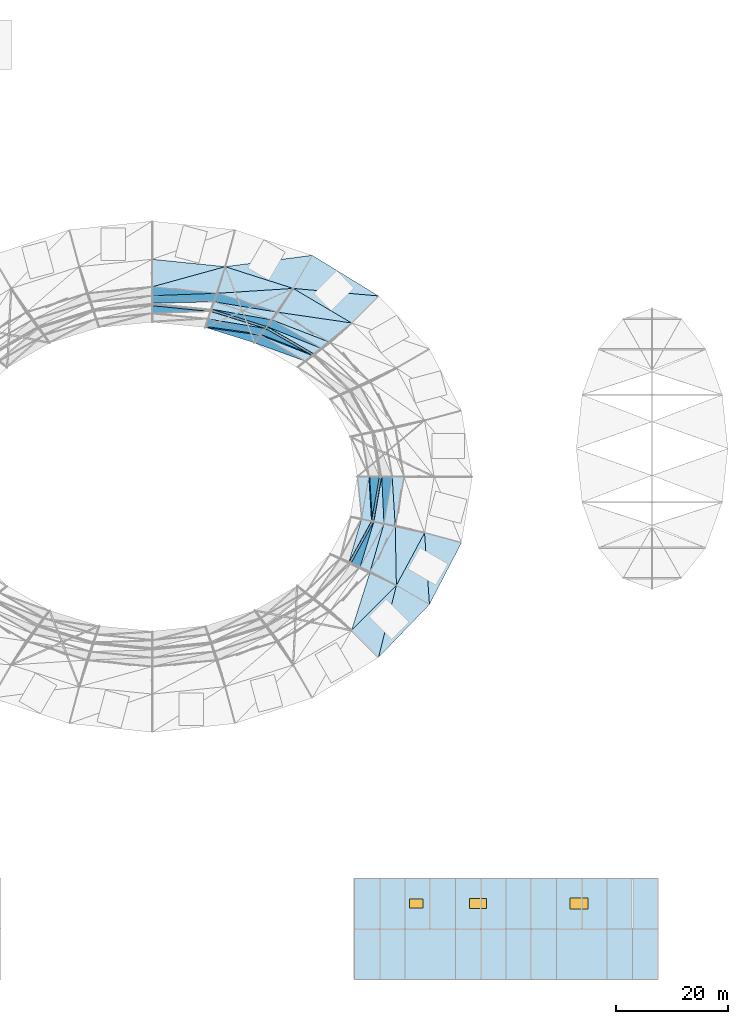
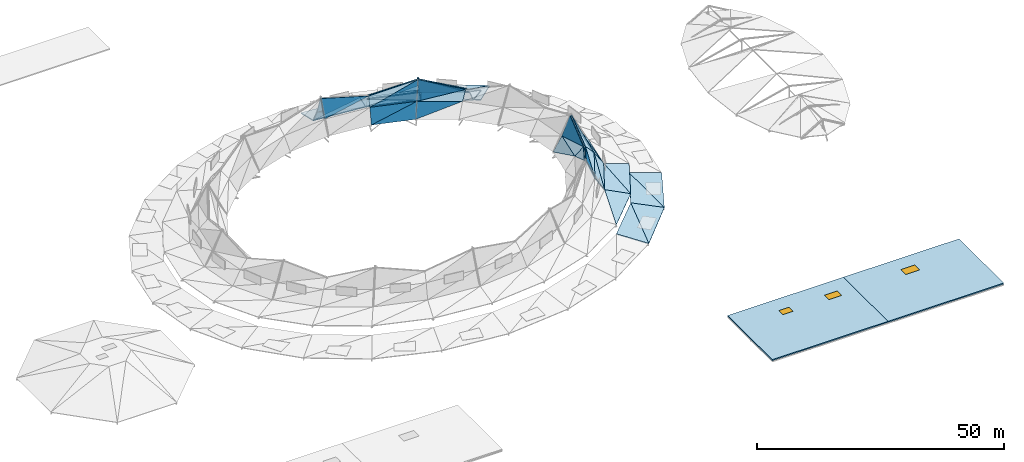
# One storey, part 30 of 36: 49 slabs, 3 windows, 1 plate, 3 openings.
"""IFC4 building model written with IfcOpenShell, lengths in metres."""

from ifc_helpers import new_model, si_unit, direction, frame, origin, origin_2d, place, context, subcontext, project, spatial, polyline, rectangle, outline, extrude, material, layer, layer_set, type_object, element, fill, save


model = new_model("IFC4")

# Units and contexts
model_context = context("Model", 3, precision=1e-05, world=origin(), true_north=direction((0.0, 1.0)))
body_context = subcontext(model_context, "Body", "Model", "MODEL_VIEW")
ifc_project = project(units=[si_unit("LENGTHUNIT", "METRE"), si_unit("AREAUNIT", "SQUARE_METRE"), si_unit("VOLUMEUNIT", "CUBIC_METRE"), si_unit("PLANEANGLEUNIT", "RADIAN"), si_unit("MASSUNIT", "GRAM", prefix="KILO")], contexts=[model_context])

# Site, building, storey
site_placement = place(None, origin())
site = spatial("IfcSite", under=ifc_project, at=site_placement, CompositionType="ELEMENT")
building_placement = place(site_placement, origin())
building = spatial("IfcBuilding", under=site, at=building_placement, Name="Kildeholm Park Wholesale Market", CompositionType="ELEMENT")
storey_placement = place(building_placement, frame((0.0, 0.0, 17.39990234375)))
storey = spatial("IfcBuildingStorey", under=building, at=storey_placement, Name="Roof", CompositionType="ELEMENT", Elevation=17.39990234375)

# Slab, openings, windows
ifc_material_1 = material(Name="Concrete C35/45", Category="concrete")
ifc_layer_1 = layer(ifc_material_1, 0.280029296875)
ifc_layer_set_1 = layer_set([ifc_layer_1], Name="Concrete C35/45")
slab_type_1 = type_object("IfcSlabType", Name="Slab S-RF1 280 mm", PredefinedType="ROOF", material=ifc_layer_set_1)
slab_1_placement = place(storey_placement, frame((0.0, 0.0, -0.27978515625)))
slab_1 = element("IfcSlab", 1, at=slab_1_placement, inside=storey, type_object=slab_type_1, Name="V5E Roof slab RF part 1 SLB-0392", PredefinedType="ROOF", context=body_context, shape_type="SweptSolid", body=[
    extrude(outline(polyline([(135.0, 0.0), (162.0, 0.0), (162.0, 18.0), (135.0, 18.0), (135.0, 0.0)])), origin(), (0.0, 0.0, 1.0), 0.27978515625),
])
opening_1_placement = place(slab_1_placement, frame((146.0, 13.5, 0.0)))
opening_1 = element("IfcOpeningElement", 2, at=opening_1_placement, cuts=slab_1, Name="Opening SK-01", PredefinedType="OPENING", context=body_context, shape_type="SweptSolid", body=[
    extrude(rectangle(XDim=2.39990234375, YDim=1.60009765625, at=origin_2d()), frame((0.0, 0.0, -0.010009765625)), (0.0, 0.0, 1.0), 0.2998046875),
])
opening_2_placement = place(slab_1_placement, frame((157.0, 13.5, 0.0)))
opening_2 = element("IfcOpeningElement", 3, at=opening_2_placement, cuts=slab_1, Name="Opening SK-02", PredefinedType="OPENING", context=body_context, shape_type="SweptSolid", body=[
    extrude(rectangle(XDim=3.0, YDim=1.800048828125, at=origin_2d()), frame((0.0, 0.0, -0.010009765625)), (0.0, 0.0, 1.0), 0.2998046875),
])
ifc_material_2 = material(Name="Thermally broken aluminium and triple-glazed low-E glass", Category="aluminium")
window_type_1 = type_object("IfcWindowType", Name="Roof skylight SK-01 2400x1600", PartitioningType="SINGLE_PANEL", PredefinedType="SKYLIGHT", material=ifc_material_2)
window_1_placement = place(opening_1_placement, frame((0.0, 0.0, 0.2197265625)))
window_1 = element("IfcWindow", 4, at=window_1_placement, inside=storey, type_object=window_type_1, Name="V5E roof skylight 1.11 WIN-0466", OverallHeight=1.60009765625, OverallWidth=2.39990234375, PartitioningType="SINGLE_PANEL", PredefinedType="SKYLIGHT", context=body_context, shape_type="SweptSolid", body=[
    extrude(rectangle(XDim=2.39990234375, YDim=1.60009765625, at=origin_2d()), origin(), (0.0, 0.0, 1.0), 0.06005859375),
])
fill(opening_1, window_1)
window_type_2 = type_object("IfcWindowType", Name="Roof skylight SK-02 3000x1800", PartitioningType="DOUBLE_PANEL_VERTICAL", PredefinedType="SKYLIGHT", material=ifc_material_2)
window_2_placement = place(opening_2_placement, frame((0.0, 0.0, 0.2197265625)))
window_2 = element("IfcWindow", 5, at=window_2_placement, inside=storey, type_object=window_type_2, Name="V5E roof skylight 1.22 WIN-0467", OverallHeight=1.800048828125, OverallWidth=3.0, PartitioningType="SINGLE_PANEL", PredefinedType="SKYLIGHT", context=body_context, shape_type="SweptSolid", body=[
    extrude(rectangle(XDim=3.0, YDim=1.800048828125, at=origin_2d()), origin(), (0.0, 0.0, 1.0), 0.06005859375),
])
fill(opening_2, window_2)

# Slab, opening, window
slab_2_placement = place(storey_placement, frame((0.0, 0.0, -0.27978515625)))
slab_2 = element("IfcSlab", 6, at=slab_2_placement, inside=storey, type_object=slab_type_1, Name="V5E Roof slab RF part 2 SLB-0393", PredefinedType="ROOF", context=body_context, shape_type="SweptSolid", body=[
    extrude(outline(polyline([(162.0, 0.0), (189.0, 0.0), (189.0, 18.0), (162.0, 18.0), (162.0, 0.0)])), origin(), (0.0, 0.0, 1.0), 0.27978515625),
])
opening_3_placement = place(slab_2_placement, frame((175.0, 13.5, 0.0)))
opening_3 = element("IfcOpeningElement", 7, at=opening_3_placement, cuts=slab_2, Name="Opening SK-06", PredefinedType="OPENING", context=body_context, shape_type="SweptSolid", body=[
    extrude(rectangle(XDim=3.199951171875, YDim=2.0, at=origin_2d()), frame((0.0, 0.0, -0.010009765625)), (0.0, 0.0, 1.0), 0.2998046875),
])
window_type_3 = type_object("IfcWindowType", Name="Roof skylight SK-06 3200x2000", PartitioningType="DOUBLE_PANEL_VERTICAL", PredefinedType="SKYLIGHT", material=ifc_material_2)
window_3_placement = place(opening_3_placement, frame((0.0, 0.0, 0.2197265625)))
window_3 = element("IfcWindow", 8, at=window_3_placement, inside=storey, type_object=window_type_3, Name="V5E roof skylight 2.40 WIN-0468", OverallHeight=2.0, OverallWidth=3.199951171875, PartitioningType="SINGLE_PANEL", PredefinedType="SKYLIGHT", context=body_context, shape_type="SweptSolid", body=[
    extrude(rectangle(XDim=3.199951171875, YDim=2.0, at=origin_2d()), origin(), (0.0, 0.0, 1.0), 0.06005859375),
])
fill(opening_3, window_3)

# Slabs
ifc_layer_2 = layer(ifc_material_1, 0.219970703125)
ifc_layer_set_2 = layer_set([ifc_layer_2], Name="Concrete C35/45")
slab_type_2 = type_object("IfcSlabType", Name="Slab S-RF2 220 mm", PredefinedType="ROOF", material=ifc_layer_set_2)
slab_3_placement = place(storey_placement, frame((139.304931640625, 121.673095703125, -7.599853515625), z_axis=(0.087119347575, 0.142227085329, 0.985992736016), x_axis=(-0.852740373682, 0.522335002745, 0.0)))
element("IfcSlab", 9, at=slab_3_placement, inside=storey, type_object=slab_type_2, Name="Outer white ceramic rim band 1 sector 4A SLB-0049", PredefinedType="ROOF", context=body_context, shape_type="SweptSolid", body=[
    extrude(outline(polyline([(0.0, 0.0), (13.843523779284418, 0.0), (13.666643287997365, 6.894384090327653), (0.0, 0.0)])), origin(), (0.0, 0.0, -1.0), 0.219970703125),
])
slab_4_placement = place(storey_placement, frame((139.304931640625, 121.673095703125, -7.599853515625), z_axis=(0.087564249827, 0.148035376862, 0.985097979568), x_axis=(-0.993314043853, 0.087658022528, 0.075121776948)))
element("IfcSlab", 10, at=slab_4_placement, inside=storey, type_object=slab_type_2, Name="Outer white ceramic rim band 1 sector 4B SLB-0050", PredefinedType="ROOF", context=body_context, shape_type="SweptSolid", body=[
    extrude(outline(polyline([(0.0, 0.0), (15.307177099201748, 2.498001805406602e-16), (4.440629868005163, 5.276029807027794), (0.0, 0.0)])), origin(), (0.0, 0.0, -1.0), 0.219970703125),
])
slab_5_placement = place(storey_placement, frame((134.4970703125, 116.864990234375, -4.199951171875), z_axis=(0.113556575253, 0.191977781411, 0.974807383877), x_axis=(-0.860700316594, 0.509111937609, 0.0)))
element("IfcSlab", 11, at=slab_5_placement, inside=storey, type_object=slab_type_2, Name="Upper white ceramic rim band 2 sector 4A SLB-0051", PredefinedType="ROOF", context=body_context, shape_type="SweptSolid", body=[
    extrude(outline(polyline([(0.0, 0.0), (12.079666355180176, 0.0), (12.243604132970296, 5.156489651848838), (0.0, 0.0)])), origin(), (0.0, 0.0, -1.0), 0.219970703125),
])
slab_6_placement = place(storey_placement, frame((134.4970703125, 116.864990234375, -4.199951171875), z_axis=(0.114229284268, 0.197284834122, 0.973668508704), x_axis=(-0.985850165908, 0.143542401035, 0.08657383834)))
element("IfcSlab", 12, at=slab_6_placement, inside=storey, type_object=slab_type_2, Name="Upper white ceramic rim band 2 sector 4B SLB-0052", PredefinedType="ROOF", context=body_context, shape_type="SweptSolid", body=[
    extrude(outline(polyline([(0.0, 0.0), (13.28515064628593, 3.608224830031759e-16), (3.3672378417552733, 4.07146687267444), (0.0, 0.0)])), origin(), (0.0, 0.0, -1.0), 0.219970703125),
])
slab_7_placement = place(storey_placement, frame((130.677978515625, 113.39990234375, -3.0498046875), z_axis=(0.439345660507, 0.75879172588, 0.480843537266), x_axis=(-0.865403937833, 0.501074869039, 0.0)))
element("IfcSlab", 13, at=slab_7_placement, inside=storey, type_object=slab_type_2, Name="Arched gable roof facet 4-LOA SLB-0053", PredefinedType="ROOF", context=body_context, shape_type="SweptSolid", body=[
    extrude(outline(polyline([(0.0, 0.0), (10.721093082963066, 8.881784197001252e-16), (10.934927367791687, 3.535391000763841), (0.0, 0.0)])), origin(), (0.0, 0.0, -1.0), 0.219970703125),
])
slab_8_placement = place(storey_placement, frame((130.677978515625, 113.39990234375, -3.0498046875), z_axis=(0.439342448941, 0.758839481518, 0.480771103383), x_axis=(-0.897556926744, 0.348761942399, 0.269734444943)))
element("IfcSlab", 14, at=slab_8_placement, inside=storey, type_object=slab_type_2, Name="Arched gable roof facet 4-LOB SLB-0054", PredefinedType="ROOF", context=body_context, shape_type="SweptSolid", body=[
    extrude(outline(polyline([(0.0, 0.0), (11.492241994805086, 4.440892098500626e-16), (1.7652410412086452, 3.1446967986713283), (0.0, 0.0)])), origin(), (0.0, 0.0, -1.0), 0.219970703125),
])
slab_9_placement = place(storey_placement, frame((129.2099609375, 112.285888671875, 0.050048828125), z_axis=(0.473863365197, 0.818464574102, 0.324914222624), x_axis=(-0.865419200012, 0.501048508879, 0.0)))
element("IfcSlab", 15, at=slab_9_placement, inside=storey, type_object=slab_type_2, Name="Arched gable roof facet 4-UOA SLB-0055", PredefinedType="ROOF", context=body_context, shape_type="SweptSolid", body=[
    extrude(outline(polyline([(0.0, 0.0), (10.22270343435824, 0.0), (10.410204102376682, 4.56248597441558), (0.0, 0.0)])), origin(), (0.0, 0.0, -1.0), 0.219970703125),
])
slab_10_placement = place(storey_placement, frame((129.2099609375, 112.285888671875, 0.050048828125), z_axis=(0.513616744053, 0.566736834599, 0.644210525013), x_axis=(-0.857984540344, 0.34603772644, 0.379631953886)))
element("IfcSlab", 16, at=slab_10_placement, inside=storey, type_object=slab_type_2, Name="Arched gable roof facet 4-UOB SLB-0056", PredefinedType="ROOF", context=body_context, shape_type="SweptSolid", body=[
    extrude(outline(polyline([(0.0, 0.0), (11.366117530620523, 0.0), (1.4877296809312432, 2.0004702758772397), (0.0, 0.0)])), origin(), (0.0, 0.0, -1.0), 0.219970703125),
])
slab_11_placement = place(storey_placement, frame((127.568115234375, 111.0390625, 1.943115234375), z_axis=(-0.401877400592, -0.857730803522, 0.320612575521), x_axis=(-0.840341411198, 0.484551404522, 0.24297376196)))
element("IfcSlab", 17, at=slab_11_placement, inside=storey, type_object=slab_type_2, Name="Arched gable roof facet 4-UIA SLB-0057", PredefinedType="ROOF", context=body_context, shape_type="SweptSolid", body=[
    extrude(outline(polyline([(0.0, 0.0), (9.967640046656408, 0.0), (9.103436350610954, 4.4837645890206925), (0.0, 0.0)])), origin(), (0.0, 0.0, -1.0), 0.219970703125),
])
slab_12_placement = place(storey_placement, frame((127.568115234375, 111.0390625, 1.943115234375), z_axis=(-0.392877419143, -0.679083773133, 0.620074642761), x_axis=(-0.914588140031, 0.358786082659, -0.186550478437)))
element("IfcSlab", 18, at=slab_12_placement, inside=storey, type_object=slab_type_2, Name="Arched gable roof facet 4-UIB SLB-0058", PredefinedType="ROOF", context=body_context, shape_type="SweptSolid", body=[
    extrude(outline(polyline([(0.0, 0.0), (10.14774350677927, -4.440892098500626e-16), (1.183062733120926, 2.194587526816265), (0.0, 0.0)])), origin(), (0.0, 0.0, -1.0), 0.219970703125),
])
slab_13_placement = place(storey_placement, frame((126.27587890625, 110.05810546875, 0.050048828125), z_axis=(-0.443732587432, -0.76698630426, 0.463501240483), x_axis=(-0.865578978323, 0.500772435628, 0.0)))
element("IfcSlab", 19, at=slab_13_placement, inside=storey, type_object=slab_type_2, Name="Arched gable roof facet 4-LIA SLB-0059", PredefinedType="ROOF", context=body_context, shape_type="SweptSolid", body=[
    extrude(outline(polyline([(0.0, 0.0), (9.229394118058728, 4.440892098500626e-16), (9.444033742585155, 3.6677730279227982), (0.0, 0.0)])), origin(), (0.0, 0.0, -1.0), 0.219970703125),
])
slab_14_placement = place(storey_placement, frame((127.5, 128.904052734375, -7.599853515625), z_axis=(0.051875197447, 0.162449034896, 0.985352360809), x_axis=(-0.988928239616, -0.129008917195, 0.073332367848)))
element("IfcSlab", 20, at=slab_14_placement, inside=storey, type_object=slab_type_2, Name="Outer white ceramic rim band 1 sector 5B SLB-0062", PredefinedType="ROOF", context=body_context, shape_type="SweptSolid", body=[
    extrude(outline(polyline([(0.0, 0.0), (15.680692953156894, 0.0), (4.206338676276323, 5.4653941883109365), (0.0, 0.0)])), origin(), (0.0, 0.0, -1.0), 0.219970703125),
])
slab_15_placement = place(storey_placement, frame((124.10009765625, 123.014892578125, -4.199951171875), z_axis=(0.069057833117, 0.216257072626, 0.973891110045), x_axis=(-0.952608649326, 0.304198555599, 0.0)))
element("IfcSlab", 21, at=slab_15_placement, inside=storey, type_object=slab_type_2, Name="Upper white ceramic rim band 2 sector 5A SLB-0063", PredefinedType="ROOF", context=body_context, shape_type="SweptSolid", body=[
    extrude(outline(polyline([(0.0, 0.0), (12.709498011526277, 4.440892098500626e-16), (12.601377828087868, 5.0663752898579695), (0.0, 0.0)])), origin(), (0.0, 0.0, -1.0), 0.219970703125),
])
slab_16_placement = place(storey_placement, frame((124.10009765625, 123.014892578125, -4.199951171875), z_axis=(0.068746010816, 0.220024023769, 0.973069069985), x_axis=(-0.994361215476, -0.063831673376, 0.084683473184)))
element("IfcSlab", 22, at=slab_16_placement, inside=storey, type_object=slab_type_2, Name="Upper white ceramic rim band 2 sector 5B SLB-0064", PredefinedType="ROOF", context=body_context, shape_type="SweptSolid", body=[
    extrude(outline(polyline([(0.0, 0.0), (13.58171129658954, -5.551115123125783e-17), (3.0532005705428262, 4.158632876396745), (0.0, 0.0)])), origin(), (0.0, 0.0, -1.0), 0.219970703125),
])
slab_17_placement = place(storey_placement, frame((121.39990234375, 118.77197265625, -3.0498046875), z_axis=(0.264595419981, 0.846846941142, 0.461345339202), x_axis=(-0.95449417592, 0.298229556107, 0.0)))
element("IfcSlab", 23, at=slab_17_placement, inside=storey, type_object=slab_type_2, Name="Arched gable roof facet 5-LOA SLB-0065", PredefinedType="ROOF", context=body_context, shape_type="SweptSolid", body=[
    extrude(outline(polyline([(0.0, 0.0), (11.320060313846767, 2.220446049250313e-16), (11.378889063432258, 3.4938924416241215), (0.0, 0.0)])), origin(), (0.0, 0.0, -1.0), 0.219970703125),
])
slab_18_placement = place(storey_placement, frame((121.39990234375, 118.77197265625, -3.0498046875), z_axis=(0.264565280013, 0.846950011686, 0.461173384225), x_axis=(-0.95283517462, 0.15583867868, 0.260421650856)))
element("IfcSlab", 24, at=slab_18_placement, inside=storey, type_object=slab_type_2, Name="Arched gable roof facet 5-LOB SLB-0066", PredefinedType="ROOF", context=body_context, shape_type="SweptSolid", body=[
    extrude(outline(polyline([(0.0, 0.0), (11.903209681070749, 4.440892098500626e-16), (1.5826645482760626, 3.168578160197448), (0.0, 0.0)])), origin(), (0.0, 0.0, -1.0), 0.219970703125),
])
slab_19_placement = place(storey_placement, frame((120.363037109375, 117.407958984375, 0.050048828125), z_axis=(0.238539840632, 0.763635049924, 0.599966878219), x_axis=(-0.954514174424, 0.298165542651, 0.0)))
element("IfcSlab", 25, at=slab_19_placement, inside=storey, type_object=slab_type_2, Name="Arched gable roof facet 5-UOA SLB-0067", PredefinedType="ROOF", context=body_context, shape_type="SweptSolid", body=[
    extrude(outline(polyline([(0.0, 0.0), (10.795996452173016, 0.0), (10.847218252717235, 2.3210949214220458), (0.0, 0.0)])), origin(), (0.0, 0.0, -1.0), 0.219970703125),
])
slab_20_placement = place(storey_placement, frame((120.363037109375, 117.407958984375, 0.050048828125), z_axis=(0.216232316131, 0.928703280996, 0.301253715874), x_axis=(-0.970816081445, 0.171736066278, 0.167400297335)))
element("IfcSlab", 26, at=slab_20_placement, inside=storey, type_object=slab_type_2, Name="Arched gable roof facet 5-UOB SLB-0068", PredefinedType="ROOF", context=body_context, shape_type="SweptSolid", body=[
    extrude(outline(polyline([(0.0, 0.0), (11.092773569145509, 0.0), (1.3967513247679428, 4.347472887092597), (0.0, 0.0)])), origin(), (0.0, 0.0, -1.0), 0.219970703125),
])
slab_21_placement = place(storey_placement, frame((119.19189453125, 115.868896484375, 4.364990234375), z_axis=(-0.371683839712, -0.711294986002, 0.596582405193), x_axis=(-0.928342183924, 0.288683692333, -0.234184788849)))
element("IfcSlab", 27, at=slab_21_placement, inside=storey, type_object=slab_type_2, Name="Arched gable roof facet 5-UIA SLB-0069", PredefinedType="ROOF", context=body_context, shape_type="SweptSolid", body=[
    extrude(outline(polyline([(0.0, 0.0), (10.496018228092371, -2.220446049250313e-16), (10.982135813229496, 2.2707624912752147), (0.0, 0.0)])), origin(), (0.0, 0.0, -1.0), 0.219970703125),
])
slab_22_placement = place(storey_placement, frame((119.19189453125, 115.868896484375, 4.364990234375), z_axis=(-0.283342259925, -0.907695683624, 0.309524974229), x_axis=(-0.910255671952, 0.152935666686, -0.3847665442)))
element("IfcSlab", 28, at=slab_22_placement, inside=storey, type_object=slab_type_2, Name="Arched gable roof facet 5-UIB SLB-0070", PredefinedType="ROOF", context=body_context, shape_type="SweptSolid", body=[
    extrude(outline(polyline([(0.0, 0.0), (11.214440213938467, 4.440892098500626e-16), (2.3019957826360335, 3.9435781131784933), (0.0, 0.0)])), origin(), (0.0, 0.0, -1.0), 0.219970703125),
])
slab_23_placement = place(storey_placement, frame((118.287109375, 114.679931640625, 0.050048828125), z_axis=(-0.266947155915, -0.855173461396, 0.444316966673), x_axis=(-0.954573536026, 0.297975442477, 0.0)))
element("IfcSlab", 29, at=slab_23_placement, inside=storey, type_object=slab_type_2, Name="Arched gable roof facet 5-LIA SLB-0071", PredefinedType="ROOF", context=body_context, shape_type="SweptSolid", body=[
    extrude(outline(polyline([(0.0, 0.0), (9.745946545913036, 0.0), (9.805204407018817, 3.6277599015067756), (0.0, 0.0)])), origin(), (0.0, 0.0, -1.0), 0.219970703125),
])
slab_24_placement = place(storey_placement, frame((118.287109375, 114.679931640625, 0.050048828125), z_axis=(-0.26690130094, -0.85528441237, 0.444130914837), x_axis=(-0.941203603906, 0.132289254835, -0.310862234839)))
element("IfcSlab", 30, at=slab_24_placement, inside=storey, type_object=slab_type_2, Name="Arched gable roof facet 5-LIB SLB-0072", PredefinedType="ROOF", context=body_context, shape_type="SweptSolid", body=[
    extrude(outline(polyline([(0.0, 0.0), (10.454791981020076, 0.0), (1.805988992385376, 3.199536358936661), (0.0, 0.0)])), origin(), (0.0, 0.0, -1.0), 0.219970703125),
])
slab_25_placement = place(storey_placement, frame((111.992919921875, 126.881103515625, -4.199951171875), z_axis=(0.023189453484, 0.228456039426, 0.973278011309), x_axis=(-0.994887827563, 0.100986189979, 0.0)))
element("IfcSlab", 31, at=slab_25_placement, inside=storey, type_object=slab_type_2, Name="Upper white ceramic rim band 2 sector 6A SLB-0075", PredefinedType="ROOF", context=body_context, shape_type="SweptSolid", body=[
    extrude(outline(polyline([(0.0, 0.0), (13.059683274744929, 0.0), (12.564860805780054, 5.008695502624852), (0.0, 0.0)])), origin(), (0.0, 0.0, -1.0), 0.219970703125),
])
slab_26_placement = place(storey_placement, frame((111.992919921875, 126.881103515625, -4.199951171875), z_axis=(0.022822949382, 0.229694921593, 0.972995044168), x_axis=(-0.960562024672, -0.264746120331, 0.085029927248)))
element("IfcSlab", 32, at=slab_26_placement, inside=storey, type_object=slab_type_2, Name="Upper white ceramic rim band 2 sector 6B SLB-0076", PredefinedType="ROOF", context=body_context, shape_type="SweptSolid", body=[
    extrude(outline(polyline([(0.0, 0.0), (13.526372673656532, 2.7755575615628914e-17), (2.693698040867451, 4.292300014721367), (0.0, 0.0)])), origin(), (0.0, 0.0, -1.0), 0.219970703125),
])
slab_27_placement = place(storey_placement, frame((110.594970703125, 122.14794921875, -3.0498046875), z_axis=(0.088238660286, 0.888052276533, 0.451195182792), x_axis=(-0.995099849345, 0.098875122419, 0.0)))
element("IfcSlab", 33, at=slab_27_placement, inside=storey, type_object=slab_type_2, Name="Arched gable roof facet 6-LOA SLB-0077", PredefinedType="ROOF", context=body_context, shape_type="SweptSolid", body=[
    extrude(outline(polyline([(0.0, 0.0), (11.652067589756296, 0.0), (11.496344099832749, 3.473515971866135), (0.0, 0.0)])), origin(), (0.0, 0.0, -1.0), 0.219970703125),
])
slab_28_placement = place(storey_placement, frame((110.594970703125, 122.14794921875, -3.0498046875), z_axis=(0.088197271942, 0.888129665478, 0.451050926748), x_axis=(-0.965472672543, -0.035209371251, 0.258113964653)))
element("IfcSlab", 34, at=slab_28_placement, inside=storey, type_object=slab_type_2, Name="Arched gable roof facet 6-LOB SLB-0078", PredefinedType="ROOF", context=body_context, shape_type="SweptSolid", body=[
    extrude(outline(polyline([(0.0, 0.0), (12.009631171212895, 4.440892098500626e-16), (1.3719975095264834, 3.213777846906827), (0.0, 0.0)])), origin(), (0.0, 0.0, -1.0), 0.219970703125),
])
slab_29_placement = place(storey_placement, frame((110.05810546875, 120.626953125, 0.050048828125), z_axis=(0.094212118323, 0.94869801852, 0.301821381644), x_axis=(-0.995105258288, 0.098820670548, 0.0)))
element("IfcSlab", 35, at=slab_29_placement, inside=storey, type_object=slab_type_2, Name="Arched gable roof facet 6-UOA SLB-0079", PredefinedType="ROOF", context=body_context, shape_type="SweptSolid", body=[
    extrude(outline(polyline([(0.0, 0.0), (11.11249827759325, 0.0), (10.978598199092573, 4.467371337262293), (0.0, 0.0)])), origin(), (0.0, 0.0, -1.0), 0.219970703125),
])
slab_30_placement = place(storey_placement, frame((109.447998046875, 118.89892578125, 1.906982421875), z_axis=(-0.02432655247, -0.952654533803, 0.303080118235), x_axis=(-0.970098530219, 0.095729082676, 0.223035388219)))
element("IfcSlab", 36, at=slab_30_placement, inside=storey, type_object=slab_type_2, Name="Arched gable roof facet 6-UIA SLB-0081", PredefinedType="ROOF", context=body_context, shape_type="SweptSolid", body=[
    extrude(outline(polyline([(0.0, 0.0), (10.770038013067964, 0.0), (9.690411851855426, 4.337020088498629), (0.0, 0.0)])), origin(), (0.0, 0.0, -1.0), 0.219970703125),
])
slab_31_placement = place(storey_placement, frame((139.304931640625, 57.326904296875, -7.599853515625), z_axis=(0.123711875469, -0.118920071603, 0.985166680536), x_axis=(0.693006803532, 0.720931044039, 0.0)))
element("IfcSlab", 37, at=slab_31_placement, inside=storey, type_object=slab_type_2, Name="Outer white ceramic rim band 1 sector 22A SLB-0265", PredefinedType="ROOF", context=body_context, shape_type="SweptSolid", body=[
    extrude(outline(polyline([(0.0, 0.0), (13.070730940282242, 0.0), (11.440767222335264, 6.701056742369787), (0.0, 0.0)])), origin(), (0.0, 0.0, -1.0), 0.219970703125),
])
slab_32_placement = place(storey_placement, frame((139.304931640625, 57.326904296875, -7.599853515625), z_axis=(0.118187404367, -0.117629390182, 0.985999525362), x_axis=(0.239025674388, 0.967132385478, 0.086727596207)))
element("IfcSlab", 38, at=slab_32_placement, inside=storey, type_object=slab_type_2, Name="Outer white ceramic rim band 1 sector 22B SLB-0266", PredefinedType="ROOF", context=body_context, shape_type="SweptSolid", body=[
    extrude(outline(polyline([(0.0, 0.0), (13.258782602491095, 5.273559366969494e-16), (3.6006004814470116, 5.881442027451164), (0.0, 0.0)])), origin(), (0.0, 0.0, -1.0), 0.219970703125),
])
slab_33_placement = place(storey_placement, frame((134.4970703125, 62.135009765625, -4.199951171875), z_axis=(0.157611273824, -0.156867122389, 0.974962251719), x_axis=(0.705431576708, 0.708778026313, 0.0)))
element("IfcSlab", 39, at=slab_33_placement, inside=storey, type_object=slab_type_2, Name="Upper white ceramic rim band 2 sector 22A SLB-0267", PredefinedType="ROOF", context=body_context, shape_type="SweptSolid", body=[
    extrude(outline(polyline([(0.0, 0.0), (11.308043252726108, -8.881784197001252e-16), (9.74607188636624, 5.1722096737621435), (0.0, 0.0)])), origin(), (0.0, 0.0, -1.0), 0.219970703125),
])
slab_34_placement = place(storey_placement, frame((148.363037109375, 66.75, -7.599853515625), z_axis=(0.151429302236, -0.078584901741, 0.985339322083), x_axis=(0.460622041592, 0.887596380569, 0.0)))
element("IfcSlab", 40, at=slab_34_placement, inside=storey, type_object=slab_type_2, Name="Outer white ceramic rim band 1 sector 23A SLB-0277", PredefinedType="ROOF", context=body_context, shape_type="SweptSolid", body=[
    extrude(outline(polyline([(0.0, 0.0), (12.36386417744238, 8.881784197001252e-16), (10.899957301963573, 6.740103422855594), (0.0, 0.0)])), origin(), (0.0, 0.0, -1.0), 0.219970703125),
])
slab_35_placement = place(storey_placement, frame((148.363037109375, 66.75, -7.599853515625), z_axis=(0.146947975585, -0.078951097679, 0.985988345087), x_axis=(-0.068200282098, 0.993628579236, 0.089727186782)))
element("IfcSlab", 41, at=slab_35_placement, inside=storey, type_object=slab_type_2, Name="Outer white ceramic rim band 1 sector 23B SLB-0278", PredefinedType="ROOF", context=body_context, shape_type="SweptSolid", body=[
    extrude(outline(polyline([(0.0, 0.0), (12.815539915876299, 2.7755575615628914e-17), (3.8830433712561634, 5.699378682209725), (0.0, 0.0)])), origin(), (0.0, 0.0, -1.0), 0.219970703125),
])
slab_36_placement = place(storey_placement, frame((142.47412109375, 70.14990234375, -4.199951171875), z_axis=(0.190416480586, -0.102305527509, 0.976358101806), x_axis=(0.473287580572, 0.880907978211, 0.0)))
element("IfcSlab", 42, at=slab_36_placement, inside=storey, type_object=slab_type_2, Name="Upper white ceramic rim band 2 sector 23A SLB-0279", PredefinedType="ROOF", context=body_context, shape_type="SweptSolid", body=[
    extrude(outline(polyline([(0.0, 0.0), (10.595867679566283, 0.0), (9.244218968605356, 5.320827331110439), (0.0, 0.0)])), origin(), (0.0, 0.0, -1.0), 0.219970703125),
])
slab_37_placement = place(storey_placement, frame((142.47412109375, 70.14990234375, -4.199951171875), z_axis=(0.186641706261, -0.102454502368, 0.977071107151), x_axis=(-0.018860774197, 0.993990267339, 0.107831440829)))
element("IfcSlab", 43, at=slab_37_placement, inside=storey, type_object=slab_type_2, Name="Upper white ceramic rim band 2 sector 23B SLB-0280", PredefinedType="ROOF", context=body_context, shape_type="SweptSolid", body=[
    extrude(outline(polyline([(0.0, 0.0), (10.666151500284201, -8.326672684688674e-17), (2.6476857053130223, 4.709699339083963), (0.0, 0.0)])), origin(), (0.0, 0.0, -1.0), 0.219970703125),
])
slab_38_placement = place(storey_placement, frame((137.798095703125, 72.60009765625, -3.0498046875), z_axis=(0.741737329288, -0.407166921489, 0.532954812705), x_axis=(0.481203038707, 0.876609169208, 0.0)))
element("IfcSlab", 44, at=slab_38_placement, inside=storey, type_object=slab_type_2, Name="Arched gable roof facet 23-LOA SLB-0281", PredefinedType="ROOF", context=body_context, shape_type="SweptSolid", body=[
    extrude(outline(polyline([(0.0, 0.0), (9.299304359450266, 4.440892098500626e-16), (8.69178310538922, 3.6635071577248324), (0.0, 0.0)])), origin(), (0.0, 0.0, -1.0), 0.219970703125),
])
slab_39_placement = place(storey_placement, frame((137.798095703125, 72.60009765625, -3.0498046875), z_axis=(0.741505340487, -0.407206017541, 0.533247681016), x_axis=(0.261966428867, 0.907396215473, 0.328642204064)))
element("IfcSlab", 45, at=slab_39_placement, inside=storey, type_object=slab_type_2, Name="Arched gable roof facet 23-LOB SLB-0282", PredefinedType="ROOF", context=body_context, shape_type="SweptSolid", body=[
    extrude(outline(polyline([(0.0, 0.0), (9.432305033544587, 4.440892098500626e-16), (1.2619563438900085, 3.4446120401457696), (0.0, 0.0)])), origin(), (0.0, 0.0, -1.0), 0.219970703125),
])
slab_40_placement = place(storey_placement, frame((136.0009765625, 73.386962890625, 0.050048828125), z_axis=(0.648764619135, -0.356276404842, 0.672437054535), x_axis=(0.481354223541, 0.87652616132, 0.0)))
element("IfcSlab", 46, at=slab_40_placement, inside=storey, type_object=slab_type_2, Name="Arched gable roof facet 23-UOA SLB-0283", PredefinedType="ROOF", context=body_context, shape_type="SweptSolid", body=[
    extrude(outline(polyline([(0.0, 0.0), (8.866789149272552, 0.0), (8.324683865195471, 2.592628696045695), (0.0, 0.0)])), origin(), (0.0, 0.0, -1.0), 0.219970703125),
])
slab_41_placement = place(storey_placement, frame((136.0009765625, 73.386962890625, 0.050048828125), z_axis=(0.861481354076, -0.349397405731, 0.368471612811), x_axis=(0.284319942625, 0.93312606736, 0.220086148221)))
element("IfcSlab", 47, at=slab_41_placement, inside=storey, type_object=slab_type_2, Name="Arched gable roof facet 23-UOB SLB-0284", PredefinedType="ROOF", context=body_context, shape_type="SweptSolid", body=[
    extrude(outline(polyline([(0.0, 0.0), (8.719064457325993, 0.0), (1.1666659693481036, 4.581709998864957), (0.0, 0.0)])), origin(), (0.0, 0.0, -1.0), 0.219970703125),
])
slab_42_placement = place(storey_placement, frame((134.0029296875, 74.262939453125, 4.445068359375), z_axis=(-0.569957843804, 0.526367920162, 0.630939671372), x_axis=(0.462525121936, 0.840188371056, -0.283114840164)))
element("IfcSlab", 48, at=slab_42_placement, inside=storey, type_object=slab_type_2, Name="Arched gable roof facet 23-UIA SLB-0285", PredefinedType="ROOF", context=body_context, shape_type="SweptSolid", body=[
    extrude(outline(polyline([(0.0, 0.0), (8.745829845295708, -4.440892098500626e-16), (8.76791712846791, 2.6479464755702606), (0.0, 0.0)])), origin(), (0.0, 0.0, -1.0), 0.219970703125),
])
slab_43_placement = place(storey_placement, frame((142.27294921875, 80.751953125, -3.0498046875), z_axis=(0.822403469895, -0.143562561515, 0.550492800712), x_axis=(0.171964181022, 0.985103202941, 0.0)))
element("IfcSlab", 49, at=slab_43_placement, inside=storey, type_object=slab_type_2, Name="Arched gable roof facet 24-LOA SLB-0293", PredefinedType="ROOF", context=body_context, shape_type="SweptSolid", body=[
    extrude(outline(polyline([(0.0, 0.0), (8.880335429709316, 1.1102230246251565e-16), (8.523518150776168, 3.7131113117509496), (0.0, 0.0)])), origin(), (0.0, 0.0, -1.0), 0.219970703125),
])
slab_44_placement = place(storey_placement, frame((142.27294921875, 80.751953125, -3.0498046875), z_axis=(0.822403495211, -0.143562547796, 0.55049276647), x_axis=(-0.058926637786, 0.940935510318, 0.333418680914)))
element("IfcSlab", 50, at=slab_44_placement, inside=storey, type_object=slab_type_2, Name="Arched gable roof facet 24-LOB SLB-0294", PredefinedType="ROOF", context=body_context, shape_type="SweptSolid", body=[
    extrude(outline(polyline([(0.0, 0.0), (9.297180071401415, -4.440892098500626e-16), (1.53457674077422, 3.3816328889327636), (0.0, 0.0)])), origin(), (0.0, 0.0, -1.0), 0.219970703125),
])
slab_45_placement = place(storey_placement, frame((140.26904296875, 81.158935546875, 0.050048828125), z_axis=(0.910521233281, -0.158944786632, 0.381690500991), x_axis=(0.171964159938, 0.985103206622, 0.0)))
element("IfcSlab", 51, at=slab_45_placement, inside=storey, type_object=slab_type_2, Name="Arched gable roof facet 24-UOA SLB-0295", PredefinedType="ROOF", context=body_context, shape_type="SweptSolid", body=[
    extrude(outline(polyline([(0.0, 0.0), (8.467198560573395, 2.220446049250313e-16), (8.148208402562801, 4.787510308064807), (0.0, 0.0)])), origin(), (0.0, 0.0, -1.0), 0.219970703125),
])
slab_46_placement = place(storey_placement, frame((140.26904296875, 81.158935546875, 0.050048828125), z_axis=(0.659296066952, -0.327520098569, 0.676800769159), x_axis=(-0.042211755684, 0.882597694585, 0.468230154086)))
element("IfcSlab", 52, at=slab_46_placement, inside=storey, type_object=slab_type_2, Name="Arched gable roof facet 24-UOB SLB-0296", PredefinedType="ROOF", context=body_context, shape_type="SweptSolid", body=[
    extrude(outline(polyline([(0.0, 0.0), (9.450584908957849, -4.440892098500626e-16), (1.2953051561027284, 2.310364959732029), (0.0, 0.0)])), origin(), (0.0, 0.0, -1.0), 0.219970703125),
])
slab_47_placement = place(storey_placement, frame((138.048095703125, 81.611083984375, 1.968994140625), z_axis=(-0.921554473294, 0.038698614287, 0.386315635205), x_axis=(0.164661849727, 0.940056245621, 0.298631428877)))
element("IfcSlab", 53, at=slab_47_placement, inside=storey, type_object=slab_type_2, Name="Arched gable roof facet 24-UIA SLB-0297", PredefinedType="ROOF", context=body_context, shape_type="SweptSolid", body=[
    extrude(outline(polyline([(0.0, 0.0), (8.391961706941895, 0.0), (6.765058537357374, 4.513889204170861), (0.0, 0.0)])), origin(), (0.0, 0.0, -1.0), 0.219970703125),
])
slab_48_placement = place(storey_placement, frame((138.048095703125, 81.611083984375, 1.968994140625), z_axis=(-0.713980913024, 0.124764817259, 0.688959357445), x_axis=(-0.05817786075, 0.970021266467, -0.235953552887)))
element("IfcSlab", 54, at=slab_48_placement, inside=storey, type_object=slab_type_2, Name="Arched gable roof facet 24-UIB SLB-0298", PredefinedType="ROOF", context=body_context, shape_type="SweptSolid", body=[
    extrude(outline(polyline([(0.0, 0.0), (8.13272480546355, 0.0), (0.9099099819643092, 2.4867995919021313), (0.0, 0.0)])), origin(), (0.0, 0.0, -1.0), 0.219970703125),
])
slab_49_placement = place(storey_placement, frame((136.260009765625, 81.97509765625, 0.050048828125), z_axis=(-0.833869186612, 0.145714731007, 0.532380875677), x_axis=(0.172136895087, 0.985073037571, 0.0)))
element("IfcSlab", 55, at=slab_49_placement, inside=storey, type_object=slab_type_2, Name="Arched gable roof facet 24-LIA SLB-0299", PredefinedType="ROOF", context=body_context, shape_type="SweptSolid", body=[
    extrude(outline(polyline([(0.0, 0.0), (7.638928340077879, 0.0), (7.281752687895025, 3.839316074400907), (0.0, 0.0)])), origin(), (0.0, 0.0, -1.0), 0.219970703125),
])

# Plate
ifc_material_3 = material(Name="Steel S355", Category="steel")
ifc_layer_3 = layer(ifc_material_3, 0.035888671875)
ifc_layer_set_3 = layer_set([ifc_layer_3], Name="Steel S355")
plate_type = type_object("IfcPlateType", Name="Steel connection plate GP-05 660x460x36", PredefinedType="SHEET", material=ifc_layer_set_3)
plate_placement = place(storey_placement, frame((119.324951171875, 116.0439453125, 4.64208984375), z_axis=(0.0, 0.0, 1.0), x_axis=(0.5, 0.866025403784, 0.0)))
element("IfcPlate", 56, at=plate_placement, inside=storey, type_object=plate_type, Name="Arch crown gusset plate TR-05 PLT-0030", PredefinedType="SHEET", context=body_context, shape_type="SweptSolid", body=[
    extrude(rectangle(XDim=0.659912109375, YDim=0.4599609375, at=origin_2d()), origin(), (0.0, 0.0, 1.0), 0.035888671875),
])

save(model, "model.ifc")
